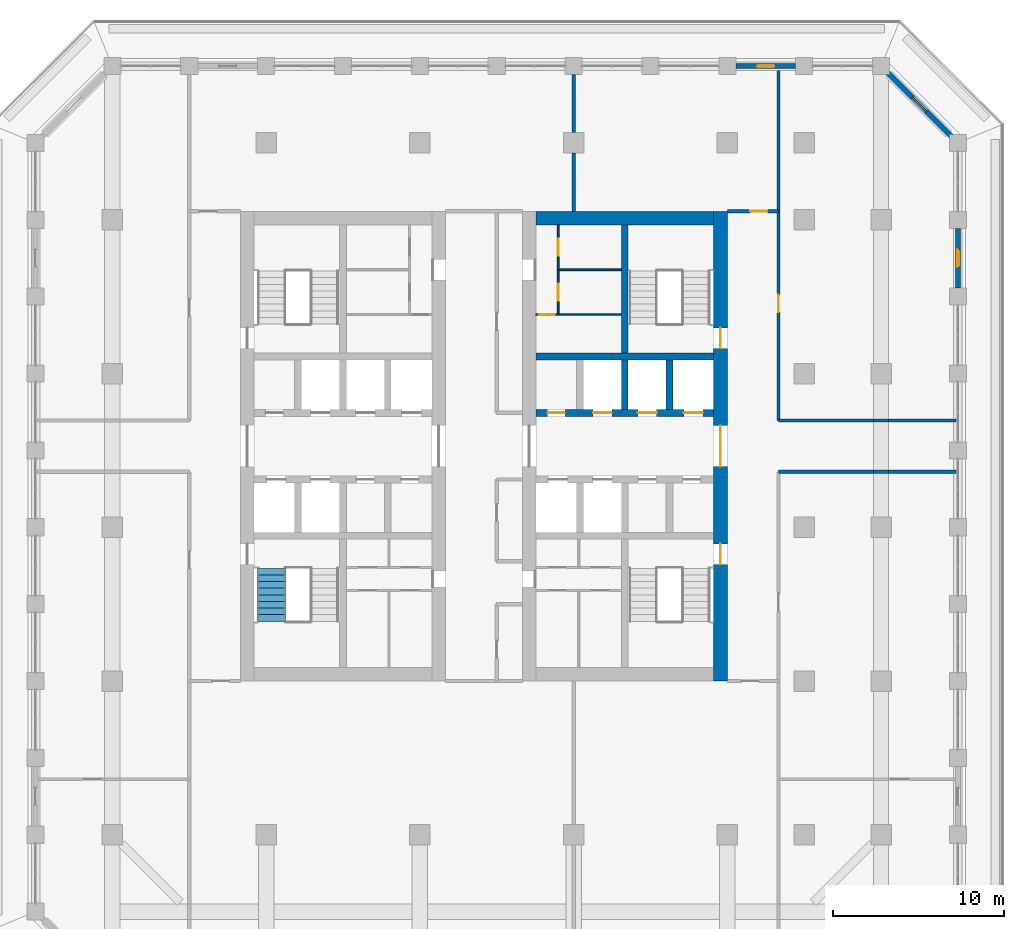
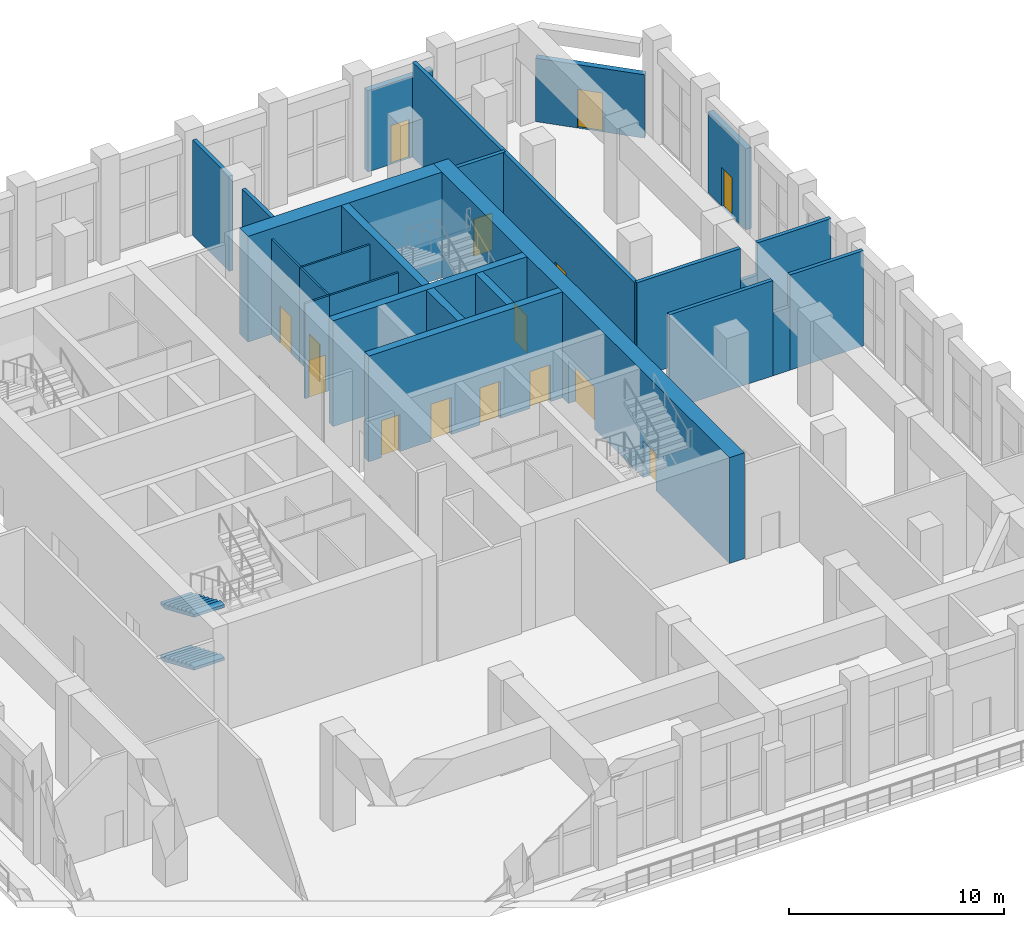
# One storey, part 16 of 25: 25 walls, 15 doors, 2 stair flights, 15 openings, 1 element without a shape of its own.
"""IFC4 building model written with IfcOpenShell, lengths in metres."""

from ifc_helpers import new_model, si_unit, direction, frame, frame_2d, origin, place, context, subcontext, project, spatial, polyline, rectangle, outline, extrude, material, layer, layer_set, type_object, element, fill, aggregate, save


model = new_model("IFC4")

# Units and contexts
model_context = context("Model", 3, precision=1e-05, world=origin(), true_north=direction((0.0, 1.0)))
body_context = subcontext(model_context, "Body", "Model", "MODEL_VIEW")
ifc_project = project(units=[si_unit("LENGTHUNIT", "METRE"), si_unit("AREAUNIT", "SQUARE_METRE"), si_unit("VOLUMEUNIT", "CUBIC_METRE"), si_unit("PLANEANGLEUNIT", "RADIAN"), si_unit("MASSUNIT", "GRAM", prefix="KILO")], contexts=[model_context])

# Site, building, storey
site_placement = place(None, origin())
site = spatial("IfcSite", under=ifc_project, at=site_placement, CompositionType="ELEMENT")
building_placement = place(site_placement, origin())
building = spatial("IfcBuilding", under=site, at=building_placement, Name="Corbel Stack Research Tower", CompositionType="ELEMENT")
storey_placement = place(building_placement, frame((0.0, 0.0, 220.199951171875)))
storey = spatial("IfcBuildingStorey", under=building, at=storey_placement, Name="L50", CompositionType="ELEMENT", Elevation=220.199951171875)

# Wall, openings, doors
ifc_material_1 = material(Name="Concrete C60/75", Category="concrete")
ifc_layer_1 = layer(ifc_material_1, 0.39990234375)
ifc_layer_set_1 = layer_set([ifc_layer_1], Name="Concrete C60/75")
wall_type_1 = type_object("IfcWallType", Name="CW-400-60", PredefinedType="SHEAR", material=ifc_layer_set_1)
wall_1_placement = place(storey_placement, frame((6.800048828125, 6.699951171875, 0.0), z_axis=(0.0, 0.0, 1.0), x_axis=(1.0, 0.0, 0.0)))
wall_1 = element("IfcWall", 1, at=wall_1_placement, inside=storey, type_object=wall_type_1, Name="East core wall, lobby north L50", PredefinedType="SHEAR", context=body_context, shape_type="SweptSolid", body=[
    extrude(rectangle(XDim=10.39990234375, YDim=0.39990234375, at=frame_2d((5.199951171875, 0.0))), origin(), (0.0, 0.0, 1.0), 6.0),
])
opening_1_placement = place(wall_1_placement, frame((3.33740234375, 0.0, 0.0)))
opening_1 = element("IfcOpeningElement", 2, at=opening_1_placement, cuts=wall_1, Name="Opening LD-HR4", PredefinedType="OPENING", context=body_context, shape_type="SweptSolid", body=[
    extrude(rectangle(XDim=1.10009765625, YDim=2.10009765625, at=frame_2d((0.550048828125, 1.050048828125))), frame((0.0, 0.2099609375, 0.0), z_axis=(0.0, -1.0, 0.0), x_axis=(1.0, 0.0, 0.0)), (0.0, 0.0, 1.0), 0.419921875),
])
opening_2_placement = place(wall_1_placement, frame((5.96240234375, 0.0, 0.0)))
opening_2 = element("IfcOpeningElement", 3, at=opening_2_placement, cuts=wall_1, Name="Opening LD-HR5", PredefinedType="OPENING", context=body_context, shape_type="SweptSolid", body=[
    extrude(rectangle(XDim=1.10009765625, YDim=2.10009765625, at=frame_2d((0.550048828125, 1.050048828125))), frame((0.0, 0.2099609375, 0.0), z_axis=(0.0, -1.0, 0.0), x_axis=(1.0, 0.0, 0.0)), (0.0, 0.0, 1.0), 0.419921875),
])
opening_3_placement = place(wall_1_placement, frame((8.66259765625, 0.0, 0.0)))
opening_3 = element("IfcOpeningElement", 4, at=opening_3_placement, cuts=wall_1, Name="Opening LD-HR6", PredefinedType="OPENING", context=body_context, shape_type="SweptSolid", body=[
    extrude(rectangle(XDim=1.10009765625, YDim=2.10009765625, at=frame_2d((0.550048828125, 1.050048828125))), frame((0.0, 0.2099609375, 0.0), z_axis=(0.0, -1.0, 0.0), x_axis=(1.0, 0.0, 0.0)), (0.0, 0.0, 1.0), 0.419921875),
])
opening_4_placement = place(wall_1_placement, frame((0.6875, 0.0, 0.0)))
opening_4 = element("IfcOpeningElement", 5, at=opening_4_placement, cuts=wall_1, Name="Opening CR-E54-N1", PredefinedType="OPENING", context=body_context, shape_type="SweptSolid", body=[
    extrude(rectangle(XDim=1.0, YDim=2.10009765625, at=frame_2d((0.5, 1.050048828125))), frame((0.0, 0.2099609375, 0.0), z_axis=(0.0, -1.0, 0.0), x_axis=(1.0, 0.0, 0.0)), (0.0, 0.0, 1.0), 0.419921875),
])
ifc_material_2 = material(Name="Stainless steel landing door", Category="steel")
door_type_1 = type_object("IfcDoorType", Name="Lift landing door 1100 x 2100", OperationType="DOUBLE_DOOR_SLIDING", PredefinedType="DOOR", material=ifc_material_2)
door_1_placement = place(opening_1_placement, origin())
door_1 = element("IfcDoor", 6, at=door_1_placement, inside=storey, type_object=door_type_1, Name="Landing door HR4", OperationType="DOUBLE_DOOR_SLIDING", OverallHeight=2.10009765625, OverallWidth=1.10009765625, PredefinedType="DOOR", context=body_context, shape_type="SweptSolid", body=[
    extrude(rectangle(XDim=1.10009765625, YDim=2.10009765625, at=frame_2d((0.550048828125, 1.050048828125))), frame((0.0, 0.02490234375, 0.0), z_axis=(0.0, -1.0, 0.0), x_axis=(1.0, 0.0, 0.0)), (0.0, 0.0, 1.0), 0.050048828125),
])
fill(opening_1, door_1)
door_2_placement = place(opening_2_placement, origin())
door_2 = element("IfcDoor", 7, at=door_2_placement, inside=storey, type_object=door_type_1, Name="Landing door HR5", OperationType="DOUBLE_DOOR_SLIDING", OverallHeight=2.10009765625, OverallWidth=1.10009765625, PredefinedType="DOOR", context=body_context, shape_type="SweptSolid", body=[
    extrude(rectangle(XDim=1.10009765625, YDim=2.10009765625, at=frame_2d((0.550048828125, 1.050048828125))), frame((0.0, 0.02490234375, 0.0), z_axis=(0.0, -1.0, 0.0), x_axis=(1.0, 0.0, 0.0)), (0.0, 0.0, 1.0), 0.050048828125),
])
fill(opening_2, door_2)
door_3_placement = place(opening_3_placement, origin())
door_3 = element("IfcDoor", 8, at=door_3_placement, inside=storey, type_object=door_type_1, Name="Landing door HR6", OperationType="DOUBLE_DOOR_SLIDING", OverallHeight=2.10009765625, OverallWidth=1.10009765625, PredefinedType="DOOR", context=body_context, shape_type="SweptSolid", body=[
    extrude(rectangle(XDim=1.10009765625, YDim=2.10009765625, at=frame_2d((0.550048828125, 1.050048828125))), frame((0.0, 0.02490234375, 0.0), z_axis=(0.0, -1.0, 0.0), x_axis=(1.0, 0.0, 0.0)), (0.0, 0.0, 1.0), 0.050048828125),
])
fill(opening_3, door_3)
ifc_material_3 = material(Name="Painted steel door", Category="steel")
door_type_2 = type_object("IfcDoorType", Name="Service door 1000 x 2100 FD60 left hand", OperationType="SINGLE_SWING_LEFT", PredefinedType="DOOR", material=ifc_material_3)
door_4_placement = place(opening_4_placement, origin())
door_4 = element("IfcDoor", 9, at=door_4_placement, inside=storey, type_object=door_type_2, Name="Mechanical room door E core", OperationType="SINGLE_SWING_LEFT", OverallHeight=2.10009765625, OverallWidth=1.0, PredefinedType="DOOR", context=body_context, shape_type="SweptSolid", body=[
    extrude(rectangle(XDim=1.0, YDim=2.10009765625, at=frame_2d((0.5, 1.050048828125))), frame((0.0, 0.02490234375, 0.0), z_axis=(0.0, -1.0, 0.0), x_axis=(1.0, 0.0, 0.0)), (0.0, 0.0, 1.0), 0.050048828125),
])
fill(opening_4, door_4)

# Walls
wall_2_placement = place(storey_placement, frame((6.800048828125, 10.0, 0.0), z_axis=(0.0, 0.0, 1.0), x_axis=(1.0, 0.0, 0.0)))
element("IfcWall", 10, at=wall_2_placement, inside=storey, type_object=wall_type_1, Name="East core wall, north row back L50", PredefinedType="SHEAR", context=body_context, shape_type="SweptSolid", body=[
    extrude(rectangle(XDim=10.39990234375, YDim=0.39990234375, at=frame_2d((5.199951171875, 0.0))), origin(), (0.0, 0.0, 1.0), 6.0),
])
for number, where, z_axis, x_axis, name in (
    (11, (12.0, 6.89990234375, 0.0), (0.0, 0.0, 1.0), (0.0, 1.0, 0.0), "East core wall, north shaft 2 L50"),
    (12, (14.625, 6.89990234375, 0.0), (0.0, 0.0, 1.0), (0.0, 1.0, 0.0), "East core wall, north shaft 3 L50"),
):
    element("IfcWall", number, at=place(storey_placement, frame(where, z_axis=z_axis, x_axis=x_axis)), inside=storey, type_object=wall_type_1, Name=name, PredefinedType="SHEAR", context=body_context, shape_type="SweptSolid", body=[
        extrude(rectangle(XDim=2.900146484375, YDim=0.39990234375, at=frame_2d((1.4501953125, 0.0))), origin(), (0.0, 0.0, 1.0), 6.0),
    ])
wall_3_placement = place(storey_placement, frame((12.0, 10.199951171875, 0.0), z_axis=(0.0, 0.0, 1.0), x_axis=(0.0, 1.0, 0.0)))
element("IfcWall", 13, at=wall_3_placement, inside=storey, type_object=wall_type_1, Name="East core wall, north stair and riser L50", PredefinedType="SHEAR", context=body_context, shape_type="SweptSolid", body=[
    extrude(rectangle(XDim=7.5, YDim=0.39990234375, at=frame_2d((3.75, 0.0))), origin(), (0.0, 0.0, 1.0), 6.0),
])

# Wall, openings, doors
ifc_material_4 = material(Name="Concrete C60/75", Category="concrete")
ifc_layer_2 = layer(ifc_material_4, 0.800048828125)
ifc_layer_set_2 = layer_set([ifc_layer_2], Name="Concrete C60/75")
wall_type_2 = type_object("IfcWallType", Name="CW-800-60", PredefinedType="SHEAR", material=ifc_layer_set_2)
wall_4_placement = place(storey_placement, frame((17.60009765625, -9.0, 0.0), z_axis=(0.0, 0.0, 1.0), x_axis=(0.0, 1.0, 0.0)))
wall_4 = element("IfcWall", 14, at=wall_4_placement, inside=storey, type_object=wall_type_2, Name="East core wall, east face L50", PredefinedType="SHEAR", context=body_context, shape_type="SweptSolid", body=[
    extrude(rectangle(XDim=27.5, YDim=0.800048828125, at=frame_2d((13.75, 0.0))), origin(), (0.0, 0.0, 1.0), 6.0),
])
opening_5_placement = place(wall_4_placement, frame((12.550048828125, 0.0, 0.0)))
opening_5 = element("IfcOpeningElement", 15, at=opening_5_placement, cuts=wall_4, Name="Opening CD-E-E", PredefinedType="OPENING", context=body_context, shape_type="SweptSolid", body=[
    extrude(rectangle(XDim=2.39990234375, YDim=2.39990234375, at=frame_2d((1.199951171875, 1.199951171875))), frame((0.0, 0.409912109375, 0.0), z_axis=(0.0, -1.0, 0.0), x_axis=(1.0, 0.0, 0.0)), (0.0, 0.0, 1.0), 0.820068359375),
])
opening_6_placement = place(wall_4_placement, frame((6.824951171875, 0.0, 0.0)))
opening_6 = element("IfcOpeningElement", 16, at=opening_6_placement, cuts=wall_4, Name="Opening SD-ST-E1", PredefinedType="OPENING", context=body_context, shape_type="SweptSolid", body=[
    extrude(rectangle(XDim=1.199951171875, YDim=2.10009765625, at=frame_2d((0.60009765625, 1.050048828125))), frame((0.0, 0.409912109375, 0.0), z_axis=(0.0, -1.0, 0.0), x_axis=(1.0, 0.0, 0.0)), (0.0, 0.0, 1.0), 0.820068359375),
])
opening_7_placement = place(wall_4_placement, frame((19.47509765625, 0.0, 0.0)))
opening_7 = element("IfcOpeningElement", 17, at=opening_7_placement, cuts=wall_4, Name="Opening SD-ST-E2", PredefinedType="OPENING", context=body_context, shape_type="SweptSolid", body=[
    extrude(rectangle(XDim=1.199951171875, YDim=2.10009765625, at=frame_2d((0.60009765625, 1.050048828125))), frame((0.0, 0.409912109375, 0.0), z_axis=(0.0, -1.0, 0.0), x_axis=(1.0, 0.0, 0.0)), (0.0, 0.0, 1.0), 0.820068359375),
])
ifc_material_5 = material(Name="Painted steel fire door", Category="steel")
door_type_3 = type_object("IfcDoorType", Name="Lobby door pair 2400 x 2400 FD30S", OperationType="DOUBLE_DOOR_DOUBLE_SWING", PredefinedType="DOOR", material=ifc_material_5)
door_5_placement = place(opening_5_placement, origin())
door_5 = element("IfcDoor", 18, at=door_5_placement, inside=storey, type_object=door_type_3, Name="Lift lobby door E core E", OperationType="DOUBLE_DOOR_DOUBLE_SWING", OverallHeight=2.39990234375, OverallWidth=2.39990234375, PredefinedType="DOOR", context=body_context, shape_type="SweptSolid", body=[
    extrude(rectangle(XDim=2.39990234375, YDim=2.39990234375, at=frame_2d((1.199951171875, 1.199951171875))), frame((0.0, 0.02490234375, 0.0), z_axis=(0.0, -1.0, 0.0), x_axis=(1.0, 0.0, 0.0)), (0.0, 0.0, 1.0), 0.050048828125),
])
fill(opening_5, door_5)
ifc_material_6 = material(Name="Painted steel fire door", Category="steel")
door_type_4 = type_object("IfcDoorType", Name="Stair door 1200 x 2100 FD90 right hand", OperationType="SINGLE_SWING_RIGHT", PredefinedType="DOOR", material=ifc_material_6)
door_6_placement = place(opening_6_placement, frame((1.199951171875, 0.0, 0.0), z_axis=(0.0, 0.0, 1.0), x_axis=(-1.0, 0.0, 0.0)))
door_6 = element("IfcDoor", 19, at=door_6_placement, inside=storey, type_object=door_type_4, Name="Stair door ST-E1", OperationType="SINGLE_SWING_LEFT", OverallHeight=2.10009765625, OverallWidth=1.199951171875, PredefinedType="DOOR", context=body_context, shape_type="SweptSolid", body=[
    extrude(rectangle(XDim=1.199951171875, YDim=2.10009765625, at=frame_2d((0.60009765625, 1.050048828125))), frame((0.0, 0.02490234375, 0.0), z_axis=(0.0, -1.0, 0.0), x_axis=(1.0, 0.0, 0.0)), (0.0, 0.0, 1.0), 0.050048828125),
])
fill(opening_6, door_6)
door_7_placement = place(opening_7_placement, frame((1.199951171875, 0.0, 0.0), z_axis=(0.0, 0.0, 1.0), x_axis=(-1.0, 0.0, 0.0)))
door_7 = element("IfcDoor", 20, at=door_7_placement, inside=storey, type_object=door_type_4, Name="Stair door ST-E2", OperationType="SINGLE_SWING_LEFT", OverallHeight=2.10009765625, OverallWidth=1.199951171875, PredefinedType="DOOR", context=body_context, shape_type="SweptSolid", body=[
    extrude(rectangle(XDim=1.199951171875, YDim=2.10009765625, at=frame_2d((0.60009765625, 1.050048828125))), frame((0.0, 0.02490234375, 0.0), z_axis=(0.0, -1.0, 0.0), x_axis=(1.0, 0.0, 0.0)), (0.0, 0.0, 1.0), 0.050048828125),
])
fill(opening_7, door_7)

# Wall
wall_5_placement = place(storey_placement, frame((6.800048828125, 18.10009765625, 0.0), z_axis=(0.0, 0.0, 1.0), x_axis=(1.0, 0.0, 0.0)))
element("IfcWall", 21, at=wall_5_placement, inside=storey, type_object=wall_type_2, Name="East core wall, north end L50", PredefinedType="SHEAR", context=body_context, shape_type="SweptSolid", body=[
    extrude(rectangle(XDim=10.39990234375, YDim=0.800048828125, at=frame_2d((5.199951171875, 0.0))), origin(), (0.0, 0.0, 1.0), 6.0),
])

# Wall, opening, door
ifc_material_7 = material(Name="Gypsum board")
ifc_layer_3 = layer(ifc_material_7, 0.10009765625)
ifc_layer_set_3 = layer_set([ifc_layer_3], Name="Gypsum board")
wall_type_3 = type_object("IfcWallType", Name="Core partition 100", PredefinedType="PARTITIONING", material=ifc_layer_set_3)
wall_6_placement = place(storey_placement, frame((6.800048828125, 12.449951171875, 0.0), z_axis=(0.0, 0.0, 1.0), x_axis=(1.0, 0.0, 0.0)))
wall_6 = element("IfcWall", 22, at=wall_6_placement, inside=storey, type_object=wall_type_3, Name="Core partition E", PredefinedType="PARTITIONING", context=body_context, shape_type="SweptSolid", body=[
    extrude(rectangle(XDim=1.300048828125, YDim=0.10009765625, at=frame_2d((0.64990234375, 0.0))), origin(), (0.0, 0.0, 1.0), 5.400146484375),
])
opening_8_placement = place(wall_6_placement, frame((0.199951171875, 0.0, 0.0)))
opening_8 = element("IfcOpeningElement", 23, at=opening_8_placement, cuts=wall_6, Name="Opening CR-E54-R1-900", PredefinedType="OPENING", context=body_context, shape_type="SweptSolid", body=[
    extrude(rectangle(XDim=0.89990234375, YDim=2.10009765625, at=frame_2d((0.449951171875, 1.050048828125))), frame((0.0, 0.06005859375, 0.0), z_axis=(0.0, -1.0, 0.0), x_axis=(1.0, 0.0, 0.0)), (0.0, 0.0, 1.0), 0.1201171875),
])
ifc_material_8 = material(Name="Painted steel door", Category="steel")
door_type_5 = type_object("IfcDoorType", Name="Riser door 900 x 2100 FD60 right hand", OperationType="SINGLE_SWING_RIGHT", PredefinedType="DOOR", material=ifc_material_8)
door_8_placement = place(opening_8_placement, origin())
door_8 = element("IfcDoor", 24, at=door_8_placement, inside=storey, type_object=door_type_5, Name="Electrical riser door E core", OperationType="SINGLE_SWING_RIGHT", OverallHeight=2.10009765625, OverallWidth=0.89990234375, PredefinedType="DOOR", context=body_context, shape_type="SweptSolid", body=[
    extrude(rectangle(XDim=0.89990234375, YDim=2.10009765625, at=frame_2d((0.449951171875, 1.050048828125))), frame((0.0, 0.02490234375, 0.0), z_axis=(0.0, -1.0, 0.0), x_axis=(1.0, 0.0, 0.0)), (0.0, 0.0, 1.0), 0.050048828125),
])
fill(opening_8, door_8)

# Wall
wall_7_placement = place(storey_placement, frame((8.10009765625, 12.449951171875, 0.0), z_axis=(0.0, 0.0, 1.0), x_axis=(1.0, 0.0, 0.0)))
element("IfcWall", 25, at=wall_7_placement, inside=storey, type_object=wall_type_3, Name="Core partition E", PredefinedType="PARTITIONING", context=body_context, shape_type="SweptSolid", body=[
    extrude(rectangle(XDim=3.699951171875, YDim=0.10009765625, at=frame_2d((1.85009765625, 0.0))), origin(), (0.0, 0.0, 1.0), 5.400146484375),
])

# Wall, opening, door
wall_8_placement = place(storey_placement, frame((8.10009765625, 12.449951171875, 0.0), z_axis=(0.0, 0.0, 1.0), x_axis=(0.0, 1.0, 0.0)))
wall_8 = element("IfcWall", 26, at=wall_8_placement, inside=storey, type_object=wall_type_3, Name="Core partition E", PredefinedType="PARTITIONING", context=body_context, shape_type="SweptSolid", body=[
    extrude(rectangle(XDim=2.625, YDim=0.10009765625, at=frame_2d((1.3125, 0.0))), origin(), (0.0, 0.0, 1.0), 5.400146484375),
])
opening_9_placement = place(wall_8_placement, frame((0.8125, 0.0, 0.0)))
opening_9 = element("IfcOpeningElement", 27, at=opening_9_placement, cuts=wall_8, Name="Opening CR-E54-R3-1000", PredefinedType="OPENING", context=body_context, shape_type="SweptSolid", body=[
    extrude(rectangle(XDim=1.0, YDim=2.10009765625, at=frame_2d((0.5, 1.050048828125))), frame((0.0, 0.06005859375, 0.0), z_axis=(0.0, -1.0, 0.0), x_axis=(1.0, 0.0, 0.0)), (0.0, 0.0, 1.0), 0.1201171875),
])
ifc_material_9 = material(Name="Painted steel door", Category="steel")
door_type_6 = type_object("IfcDoorType", Name="Service door 1000 x 2100 FD30 right hand", OperationType="SINGLE_SWING_RIGHT", PredefinedType="DOOR", material=ifc_material_9)
door_9_placement = place(opening_9_placement, origin())
door_9 = element("IfcDoor", 28, at=door_9_placement, inside=storey, type_object=door_type_6, Name="Pantry door E core", OperationType="SINGLE_SWING_RIGHT", OverallHeight=2.10009765625, OverallWidth=1.0, PredefinedType="DOOR", context=body_context, shape_type="SweptSolid", body=[
    extrude(rectangle(XDim=1.0, YDim=2.10009765625, at=frame_2d((0.5, 1.050048828125))), frame((0.0, 0.02490234375, 0.0), z_axis=(0.0, -1.0, 0.0), x_axis=(1.0, 0.0, 0.0)), (0.0, 0.0, 1.0), 0.050048828125),
])
fill(opening_9, door_9)

wall_9_placement = place(storey_placement, frame((8.10009765625, 15.074951171875, 0.0), z_axis=(0.0, 0.0, 1.0), x_axis=(0.0, 1.0, 0.0)))
wall_9 = element("IfcWall", 29, at=wall_9_placement, inside=storey, type_object=wall_type_3, Name="Core partition E", PredefinedType="PARTITIONING", context=body_context, shape_type="SweptSolid", body=[
    extrude(rectangle(XDim=2.625, YDim=0.10009765625, at=frame_2d((1.3125, 0.0))), origin(), (0.0, 0.0, 1.0), 5.400146484375),
])
opening_10_placement = place(wall_9_placement, frame((0.8125, 0.0, 0.0)))
opening_10 = element("IfcOpeningElement", 30, at=opening_10_placement, cuts=wall_9, Name="Opening CR-E54-R4-1000", PredefinedType="OPENING", context=body_context, shape_type="SweptSolid", body=[
    extrude(rectangle(XDim=1.0, YDim=2.10009765625, at=frame_2d((0.5, 1.050048828125))), frame((0.0, 0.06005859375, 0.0), z_axis=(0.0, -1.0, 0.0), x_axis=(1.0, 0.0, 0.0)), (0.0, 0.0, 1.0), 0.1201171875),
])
ifc_material_10 = material(Name="Painted steel door", Category="steel")
door_type_7 = type_object("IfcDoorType", Name="Service door 1000 x 2100 FD30 left hand", OperationType="SINGLE_SWING_LEFT", PredefinedType="DOOR", material=ifc_material_10)
door_10_placement = place(opening_10_placement, origin())
door_10 = element("IfcDoor", 31, at=door_10_placement, inside=storey, type_object=door_type_7, Name="Copy and supply store door E core", OperationType="SINGLE_SWING_LEFT", OverallHeight=2.10009765625, OverallWidth=1.0, PredefinedType="DOOR", context=body_context, shape_type="SweptSolid", body=[
    extrude(rectangle(XDim=1.0, YDim=2.10009765625, at=frame_2d((0.5, 1.050048828125))), frame((0.0, 0.02490234375, 0.0), z_axis=(0.0, -1.0, 0.0), x_axis=(1.0, 0.0, 0.0)), (0.0, 0.0, 1.0), 0.050048828125),
])
fill(opening_10, door_10)

# Walls
wall_10_placement = place(storey_placement, frame((8.10009765625, 15.074951171875, 0.0), z_axis=(0.0, 0.0, 1.0), x_axis=(1.0, 0.0, 0.0)))
element("IfcWall", 32, at=wall_10_placement, inside=storey, type_object=wall_type_3, Name="Core partition E", PredefinedType="PARTITIONING", context=body_context, shape_type="SweptSolid", body=[
    extrude(rectangle(XDim=3.699951171875, YDim=0.10009765625, at=frame_2d((1.85009765625, 0.0))), origin(), (0.0, 0.0, 1.0), 5.400146484375),
])
ifc_material_11 = material(Name="Fire-rated gypsum board partition on steel studs", Category="steel")
ifc_layer_4 = layer(ifc_material_11, 0.199951171875)
ifc_layer_set_4 = layer_set([ifc_layer_4], Name="Fire-rated gypsum board partition on steel studs")
wall_type_4 = type_object("IfcWallType", Name="Fire-rated partition 200 EI 60", PredefinedType="PARTITIONING", material=ifc_layer_set_4)
for number, where, z_axis, x_axis, name in (
    (33, (9.0, 18.5, 0.0), (0.0, 0.0, 1.0), (0.0, 1.0, 0.0), "Partition L50-010"),
    (34, (9.0, 23.10009765625, 0.0), (0.0, 0.0, 1.0), (0.0, 1.0, 0.0), "Partition L50-011"),
):
    element("IfcWall", number, at=place(storey_placement, frame(where, z_axis=z_axis, x_axis=x_axis)), inside=storey, type_object=wall_type_4, Name=name, PredefinedType="PARTITIONING", context=body_context, shape_type="SweptSolid", body=[
        extrude(rectangle(XDim=3.39990234375, YDim=0.199951171875, at=frame_2d((1.699951171875, 0.0))), origin(), (0.0, 0.0, 1.0), 5.400146484375),
    ])

# Wall, opening, door
wall_11_placement = place(storey_placement, frame((21.0, 26.85009765625, 0.0), z_axis=(0.0, 0.0, 1.0), x_axis=(0.0, -1.0, 0.0)))
wall_11 = element("IfcWall", 35, at=wall_11_placement, inside=storey, type_object=wall_type_4, Name="Partition L50-015", PredefinedType="PARTITIONING", context=body_context, shape_type="SweptSolid", body=[
    extrude(rectangle(XDim=20.60009765625, YDim=0.199951171875, at=frame_2d((10.300048828125, 0.0))), origin(), (0.0, 0.0, 1.0), 5.400146484375),
])
opening_11_placement = place(wall_11_placement, frame((13.25, 0.0, 0.0)))
opening_11 = element("IfcOpeningElement", 36, at=opening_11_placement, cuts=wall_11, Name="Opening B6AM-013", PredefinedType="OPENING", context=body_context, shape_type="SweptSolid", body=[
    extrude(rectangle(XDim=1.0, YDim=2.10009765625, at=frame_2d((0.5, 1.050048828125))), frame((0.0, 0.10986328125, 0.0), z_axis=(0.0, -1.0, 0.0), x_axis=(1.0, 0.0, 0.0)), (0.0, 0.0, 1.0), 0.219970703125),
])
ifc_material_12 = material(Name="Painted steel fire door", Category="steel")
door_type_8 = type_object("IfcDoorType", Name="Fire door FD30S 1000 x 2100", OperationType="NOTDEFINED", PredefinedType="DOOR", material=ifc_material_12)
door_11_placement = place(opening_11_placement, origin())
door_11 = element("IfcDoor", 37, at=door_11_placement, inside=storey, type_object=door_type_8, Name="Door B6AM-013", OperationType="SINGLE_SWING_RIGHT", OverallHeight=2.10009765625, OverallWidth=1.0, PredefinedType="DOOR", context=body_context, shape_type="SweptSolid", body=[
    extrude(rectangle(XDim=1.0, YDim=2.10009765625, at=frame_2d((0.5, 1.050048828125))), frame((0.0, 0.02490234375, 0.0), z_axis=(0.0, -1.0, 0.0), x_axis=(1.0, 0.0, 0.0)), (0.0, 0.0, 1.0), 0.050048828125),
])
fill(opening_11, door_11)

# Walls
wall_12_placement = place(storey_placement, frame((21.0, 3.25, 0.0), z_axis=(0.0, 0.0, 1.0), x_axis=(1.0, 0.0, 0.0)))
element("IfcWall", 38, at=wall_12_placement, inside=storey, type_object=wall_type_4, Name="Partition L50-031", PredefinedType="PARTITIONING", context=body_context, shape_type="SweptSolid", body=[
    extrude(rectangle(XDim=5.550048828125, YDim=0.199951171875, at=frame_2d((2.77490234375, 0.0))), origin(), (0.0, 0.0, 1.0), 5.400146484375),
])
wall_13_placement = place(storey_placement, frame((26.550048828125, 3.25, 0.0), z_axis=(0.0, 0.0, 1.0), x_axis=(1.0, 0.0, 0.0)))
element("IfcWall", 39, at=wall_13_placement, inside=storey, type_object=wall_type_4, Name="Partition L50-032", PredefinedType="PARTITIONING", context=body_context, shape_type="SweptSolid", body=[
    extrude(rectangle(XDim=0.89990234375, YDim=0.199951171875, at=frame_2d((0.449951171875, 0.0))), origin(), (0.0, 0.0, 1.0), 3.570068359375),
])
wall_14_placement = place(storey_placement, frame((27.449951171875, 3.25, 0.0), z_axis=(0.0, 0.0, 1.0), x_axis=(1.0, 0.0, 0.0)))
element("IfcWall", 40, at=wall_14_placement, inside=storey, type_object=wall_type_4, Name="Partition L50-033", PredefinedType="PARTITIONING", context=body_context, shape_type="SweptSolid", body=[
    extrude(rectangle(XDim=3.949951171875, YDim=0.199951171875, at=frame_2d((1.97509765625, 0.0))), origin(), (0.0, 0.0, 1.0), 5.400146484375),
])
wall_15_placement = place(storey_placement, frame((21.0, 6.25, 0.0), z_axis=(0.0, 0.0, 1.0), x_axis=(1.0, 0.0, 0.0)))
element("IfcWall", 41, at=wall_15_placement, inside=storey, type_object=wall_type_4, Name="Partition L50-037", PredefinedType="PARTITIONING", context=body_context, shape_type="SweptSolid", body=[
    extrude(rectangle(XDim=5.550048828125, YDim=0.199951171875, at=frame_2d((2.77490234375, 0.0))), origin(), (0.0, 0.0, 1.0), 5.400146484375),
])
wall_16_placement = place(storey_placement, frame((26.550048828125, 6.25, 0.0), z_axis=(0.0, 0.0, 1.0), x_axis=(1.0, 0.0, 0.0)))
element("IfcWall", 42, at=wall_16_placement, inside=storey, type_object=wall_type_4, Name="Partition L50-038", PredefinedType="PARTITIONING", context=body_context, shape_type="SweptSolid", body=[
    extrude(rectangle(XDim=0.89990234375, YDim=0.199951171875, at=frame_2d((0.449951171875, 0.0))), origin(), (0.0, 0.0, 1.0), 3.570068359375),
])
wall_17_placement = place(storey_placement, frame((27.449951171875, 6.25, 0.0), z_axis=(0.0, 0.0, 1.0), x_axis=(1.0, 0.0, 0.0)))
element("IfcWall", 43, at=wall_17_placement, inside=storey, type_object=wall_type_4, Name="Partition L50-039", PredefinedType="PARTITIONING", context=body_context, shape_type="SweptSolid", body=[
    extrude(rectangle(XDim=3.949951171875, YDim=0.199951171875, at=frame_2d((1.97509765625, 0.0))), origin(), (0.0, 0.0, 1.0), 5.400146484375),
])

# Wall, opening, door
wall_18_placement = place(storey_placement, frame((18.0, 18.5, 0.0), z_axis=(0.0, 0.0, 1.0), x_axis=(1.0, 0.0, 0.0)))
wall_18 = element("IfcWall", 44, at=wall_18_placement, inside=storey, type_object=wall_type_4, Name="Partition L50-043", PredefinedType="PARTITIONING", context=body_context, shape_type="SweptSolid", body=[
    extrude(rectangle(XDim=3.0, YDim=0.199951171875, at=frame_2d((1.5, 0.0))), origin(), (0.0, 0.0, 1.0), 5.400146484375),
])
opening_12_placement = place(wall_18_placement, frame((1.35009765625, 0.0, 0.0)))
opening_12 = element("IfcOpeningElement", 45, at=opening_12_placement, cuts=wall_18, Name="Opening B6AM-011", PredefinedType="OPENING", context=body_context, shape_type="SweptSolid", body=[
    extrude(rectangle(XDim=1.0, YDim=2.10009765625, at=frame_2d((0.5, 1.050048828125))), frame((0.0, 0.10986328125, 0.0), z_axis=(0.0, -1.0, 0.0), x_axis=(1.0, 0.0, 0.0)), (0.0, 0.0, 1.0), 0.219970703125),
])
door_12_placement = place(opening_12_placement, origin())
door_12 = element("IfcDoor", 46, at=door_12_placement, inside=storey, type_object=door_type_8, Name="Door B6AM-011", OperationType="SINGLE_SWING_RIGHT", OverallHeight=2.10009765625, OverallWidth=1.0, PredefinedType="DOOR", context=body_context, shape_type="SweptSolid", body=[
    extrude(rectangle(XDim=1.0, YDim=2.10009765625, at=frame_2d((0.5, 1.050048828125))), frame((0.0, 0.02490234375, 0.0), z_axis=(0.0, -1.0, 0.0), x_axis=(1.0, 0.0, 0.0)), (0.0, 0.0, 1.0), 0.050048828125),
])
fill(opening_12, door_12)

ifc_material_13 = material(Name="Concrete C45/55", Category="concrete")
ifc_layer_5 = layer(ifc_material_13, 0.300048828125)
ifc_layer_set_5 = layer_set([ifc_layer_5], Name="Concrete C45/55")
wall_type_5 = type_object("IfcWallType", Name="Terracotta-faced concrete wall 300", PredefinedType="SOLIDWALL", material=ifc_layer_set_5)
wall_19_placement = place(storey_placement, frame((31.5, 17.5, 0.0), z_axis=(0.0, 0.0, 1.0), x_axis=(0.0, -1.0, 0.0)))
wall_19 = element("IfcWall", 47, at=wall_19_placement, inside=storey, type_object=wall_type_5, Name="Facade wall L50 E09", PredefinedType="SOLIDWALL", context=body_context, shape_type="SweptSolid", body=[
    extrude(rectangle(XDim=3.5, YDim=0.300048828125, at=frame_2d((1.75, 0.0))), origin(), (0.0, 0.0, 1.0), 4.60009765625),
])
opening_13_placement = place(wall_19_placement, frame((1.25, 0.0, 0.0)))
opening_13 = element("IfcOpeningElement", 48, at=opening_13_placement, cuts=wall_19, Name="Opening L50-B05", PredefinedType="OPENING", context=body_context, shape_type="SweptSolid", body=[
    extrude(rectangle(XDim=1.0, YDim=2.199951171875, at=frame_2d((0.5, 1.10009765625))), frame((0.0, 0.159912109375, 0.0), z_axis=(0.0, -1.0, 0.0), x_axis=(1.0, 0.0, 0.0)), (0.0, 0.0, 1.0), 0.320068359375),
])
ifc_material_14 = material(Name="Aluminium frame, clear double glazing", Category="aluminium")
door_type_9 = type_object("IfcDoorType", Name="Balcony door BD1 1000 x 2200", OperationType="NOTDEFINED", PredefinedType="DOOR", material=ifc_material_14)
door_13_placement = place(opening_13_placement, origin())
door_13 = element("IfcDoor", 49, at=door_13_placement, inside=storey, type_object=door_type_9, Name="Balcony door L50-B05", OperationType="SINGLE_SWING_LEFT", OverallHeight=2.199951171875, OverallWidth=1.0, PredefinedType="DOOR", context=body_context, shape_type="SweptSolid", body=[
    extrude(rectangle(XDim=1.0, YDim=2.199951171875, at=frame_2d((0.5, 1.10009765625))), frame((0.0, 0.02490234375, 0.0), z_axis=(0.0, -1.0, 0.0), x_axis=(1.0, 0.0, 0.0)), (0.0, 0.0, 1.0), 0.050048828125),
])
fill(opening_13, door_13)

wall_20_placement = place(storey_placement, frame((27.393798828125, 26.606201171875, 0.0), z_axis=(0.0, 0.0, 1.0), x_axis=(0.707106781187, -0.707106781187, 0.0)))
wall_20 = element("IfcWall", 50, at=wall_20_placement, inside=storey, type_object=wall_type_5, Name="Facade wall L50 NE01", PredefinedType="SOLIDWALL", context=body_context, shape_type="SweptSolid", body=[
    extrude(rectangle(XDim=5.250244140625, YDim=0.300048828125, at=frame_2d((2.625, 0.0))), origin(), (0.0, 0.0, 1.0), 3.60009765625),
])
opening_14_placement = place(wall_20_placement, frame((2.02490234375, 0.0, 0.0)))
opening_14 = element("IfcOpeningElement", 51, at=opening_14_placement, cuts=wall_20, Name="Opening L50-B06", PredefinedType="OPENING", context=body_context, shape_type="SweptSolid", body=[
    extrude(rectangle(XDim=1.199951171875, YDim=2.199951171875, at=frame_2d((0.60009765625, 1.10009765625))), frame((0.0, 0.159912109375, 0.0), z_axis=(0.0, -1.0, 0.0), x_axis=(1.0, 0.0, 0.0)), (0.0, 0.0, 1.0), 0.320068359375),
])
ifc_material_15 = material(Name="Aluminium frame, clear double glazing", Category="aluminium")
door_type_10 = type_object("IfcDoorType", Name="Balcony door BD2 1200 x 2200", OperationType="NOTDEFINED", PredefinedType="DOOR", material=ifc_material_15)
door_14_placement = place(opening_14_placement, origin())
door_14 = element("IfcDoor", 52, at=door_14_placement, inside=storey, type_object=door_type_10, Name="Balcony door L50-B06", OperationType="SINGLE_SWING_LEFT", OverallHeight=2.199951171875, OverallWidth=1.199951171875, PredefinedType="DOOR", context=body_context, shape_type="SweptSolid", body=[
    extrude(rectangle(XDim=1.199951171875, YDim=2.199951171875, at=frame_2d((0.60009765625, 1.10009765625))), frame((0.0, 0.02490234375, 0.0), z_axis=(0.0, -1.0, 0.0), x_axis=(1.0, 0.0, 0.0)), (0.0, 0.0, 1.0), 0.050048828125),
])
fill(opening_14, door_14)

wall_21_placement = place(storey_placement, frame((18.5, 27.0, 0.0), z_axis=(0.0, 0.0, 1.0), x_axis=(1.0, 0.0, 0.0)))
wall_21 = element("IfcWall", 53, at=wall_21_placement, inside=storey, type_object=wall_type_5, Name="Facade wall L50 N02", PredefinedType="SOLIDWALL", context=body_context, shape_type="SweptSolid", body=[
    extrude(rectangle(XDim=3.5, YDim=0.300048828125, at=frame_2d((1.75, 0.0))), origin(), (0.0, 0.0, 1.0), 4.60009765625),
])
opening_15_placement = place(wall_21_placement, frame((1.25, 0.0, 0.0)))
opening_15 = element("IfcOpeningElement", 54, at=opening_15_placement, cuts=wall_21, Name="Opening L50-B07", PredefinedType="OPENING", context=body_context, shape_type="SweptSolid", body=[
    extrude(rectangle(XDim=1.0, YDim=2.199951171875, at=frame_2d((0.5, 1.10009765625))), frame((0.0, 0.159912109375, 0.0), z_axis=(0.0, -1.0, 0.0), x_axis=(1.0, 0.0, 0.0)), (0.0, 0.0, 1.0), 0.320068359375),
])
door_15_placement = place(opening_15_placement, origin())
door_15 = element("IfcDoor", 55, at=door_15_placement, inside=storey, type_object=door_type_9, Name="Balcony door L50-B07", OperationType="SINGLE_SWING_RIGHT", OverallHeight=2.199951171875, OverallWidth=1.0, PredefinedType="DOOR", context=body_context, shape_type="SweptSolid", body=[
    extrude(rectangle(XDim=1.0, YDim=2.199951171875, at=frame_2d((0.5, 1.10009765625))), frame((0.0, 0.02490234375, 0.0), z_axis=(0.0, -1.0, 0.0), x_axis=(1.0, 0.0, 0.0)), (0.0, 0.0, 1.0), 0.050048828125),
])
fill(opening_15, door_15)

# Stair, stair flights
ifc_material_16 = material(Name="Concrete C40/50", Category="concrete")
stair_type = type_object("IfcStairType", Name="Exit stair 36 risers, 388 going", PredefinedType="HALF_TURN_STAIR", material=ifc_material_16)
stair_placement = place(storey_placement, origin())
stair = element("IfcStair", 56, at=stair_placement, inside=storey, type_object=stair_type, Name="L50 Exit stair ST-W1", PredefinedType="HALF_TURN_STAIR")
ifc_material_17 = material(Name="Concrete C40/50", Category="concrete")
stair_flight_type = type_object("IfcStairFlightType", Name="Stair flight 9 risers, 388 going", PredefinedType="STRAIGHT", material=ifc_material_17)
stair_flight_1_placement = place(storey_placement, frame((-8.675048828125, -2.39990234375, 0.0), z_axis=(0.0, 0.0, 1.0), x_axis=(0.0, -1.0, 0.0)))
stair_flight_1 = element("IfcStairFlight", 57, at=stair_flight_1_placement, type_object=stair_flight_type, Name="ST-W1 flight 1", NumberOfRisers=9, NumberOfTreads=8, PredefinedType="STRAIGHT", RiserHeight=0.166666667, TreadLength=0.388, context=body_context, shape_type="SweptSolid", body=[
    extrude(outline(polyline([(0.0, 0.0), (0.0, 0.166748046875), (0.387939453125, 0.166748046875), (0.387939453125, 0.333251953125), (0.77587890625, 0.333251953125), (0.77587890625, 0.5), (1.1640625, 0.5), (1.1640625, 0.666748046875), (1.552001953125, 0.666748046875), (1.552001953125, 0.833251953125), (1.93994140625, 0.833251953125), (1.93994140625, 1.0), (2.327880859375, 1.0), (2.327880859375, 1.166748046875), (2.716064453125, 1.166748046875), (2.716064453125, 1.333251953125), (3.10400390625, 1.333251953125), (3.10400390625, 1.5), (3.10400390625, 1.170166015625), (0.3798828125, 0.0), (0.0, 0.0)])), frame((0.0, 0.824951171875, 0.0), z_axis=(0.0, -1.0, 0.0), x_axis=(1.0, 0.0, 0.0)), (0.0, 0.0, 1.0), 1.64990234375),
])
stair_flight_2_placement = place(storey_placement, frame((-8.675048828125, -2.39990234375, 3.0), z_axis=(0.0, 0.0, 1.0), x_axis=(0.0, -1.0, 0.0)))
stair_flight_2 = element("IfcStairFlight", 58, at=stair_flight_2_placement, type_object=stair_flight_type, Name="ST-W1 flight 3", NumberOfRisers=9, NumberOfTreads=8, PredefinedType="STRAIGHT", RiserHeight=0.166666667, TreadLength=0.388, context=body_context, shape_type="SweptSolid", body=[
    extrude(outline(polyline([(0.0, 0.0), (0.0, 0.166748046875), (0.387939453125, 0.166748046875), (0.387939453125, 0.333251953125), (0.77587890625, 0.333251953125), (0.77587890625, 0.5), (1.1640625, 0.5), (1.1640625, 0.666748046875), (1.552001953125, 0.666748046875), (1.552001953125, 0.833251953125), (1.93994140625, 0.833251953125), (1.93994140625, 1.0), (2.327880859375, 1.0), (2.327880859375, 1.166748046875), (2.716064453125, 1.166748046875), (2.716064453125, 1.333251953125), (3.10400390625, 1.333251953125), (3.10400390625, 1.5), (3.10400390625, 1.170166015625), (0.3798828125, 0.0), (0.0, 0.0)])), frame((0.0, 0.824951171875, 0.0), z_axis=(0.0, -1.0, 0.0), x_axis=(1.0, 0.0, 0.0)), (0.0, 0.0, 1.0), 1.64990234375),
])
aggregate(stair, [stair_flight_1, stair_flight_2])

save(model, "model.ifc")
